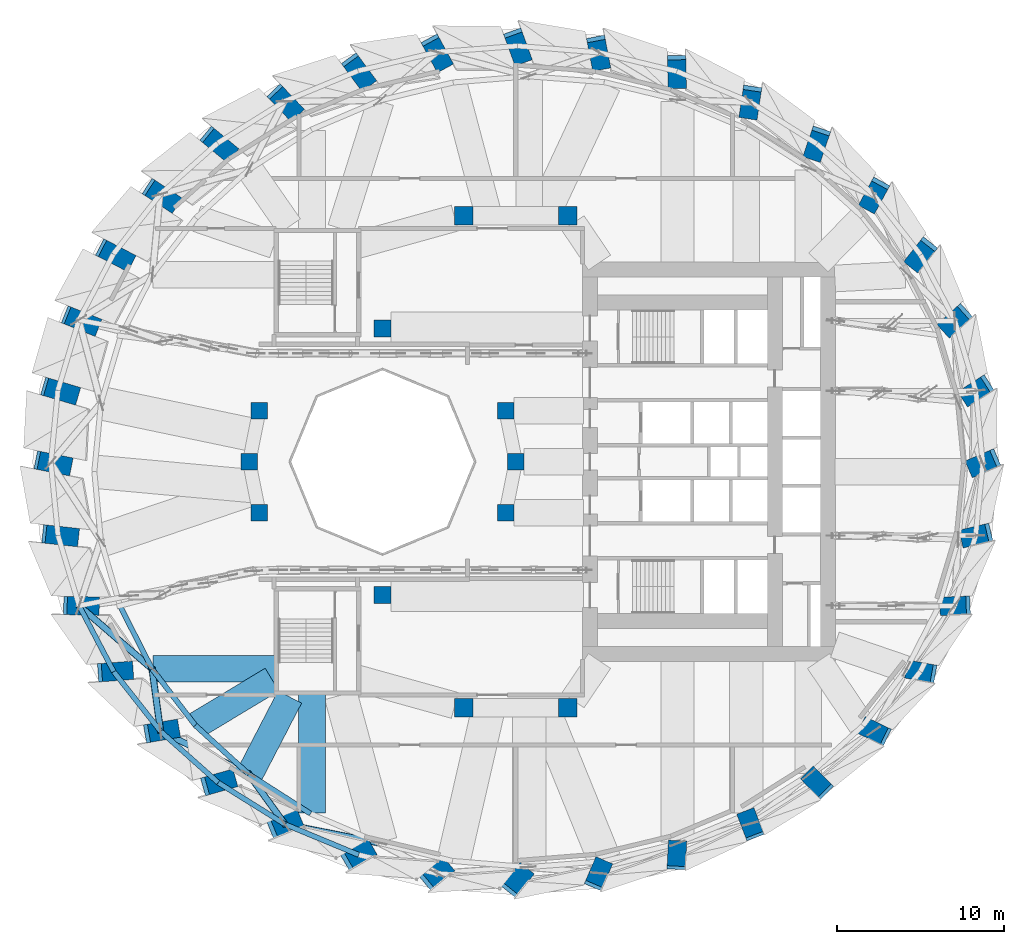
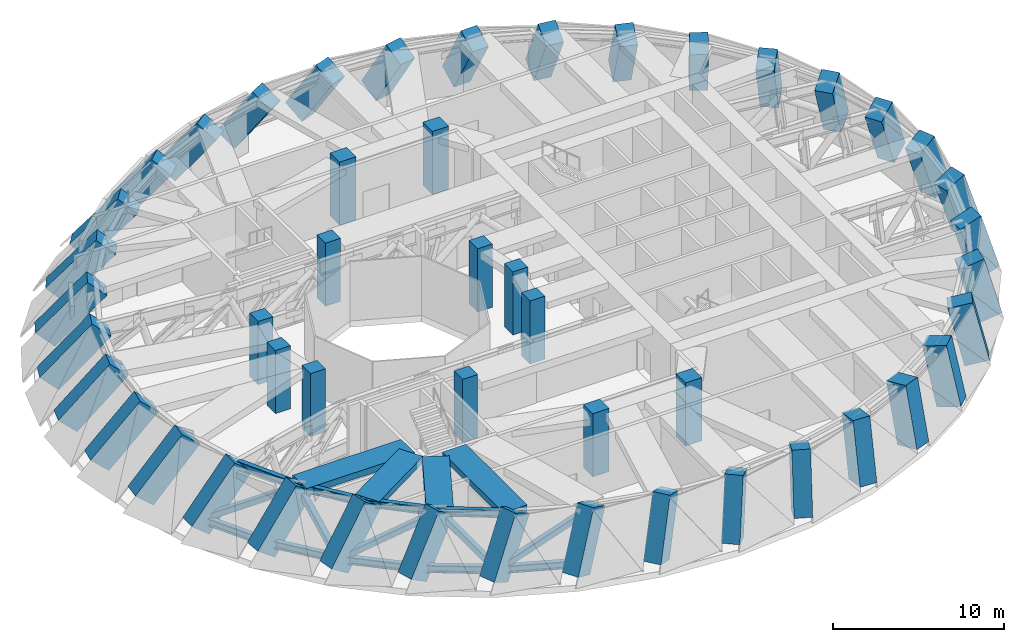
# One storey, part 1 of 15: 48 columns, 14 members, 4 beams.
"""IFC4 building model written with IfcOpenShell, lengths in metres."""

from ifc_helpers import new_model, si_unit, direction, frame, origin, origin_2d, place, context, subcontext, project, spatial, rectangle, hollow_rectangle, i_section, extrude, material, material_profile, profile_set, type_object, element, save


model = new_model("IFC4")

# Units and contexts
model_context = context("Model", 3, precision=1e-05, world=origin(), true_north=direction((0.0, 1.0)))
body_context = subcontext(model_context, "Body", "Model", "MODEL_VIEW")
ifc_project = project(units=[si_unit("LENGTHUNIT", "METRE"), si_unit("AREAUNIT", "SQUARE_METRE"), si_unit("VOLUMEUNIT", "CUBIC_METRE"), si_unit("PLANEANGLEUNIT", "RADIAN"), si_unit("MASSUNIT", "GRAM", prefix="KILO")], contexts=[model_context])

# Site, building, storey
site_placement = place(None, origin())
site = spatial("IfcSite", under=ifc_project, at=site_placement, CompositionType="ELEMENT")
building_placement = place(site_placement, origin())
building = spatial("IfcBuilding", under=site, at=building_placement, Name="Taillehof Tower", CompositionType="ELEMENT")
storey_placement = place(building_placement, frame((0.0, 0.0, 84.39990234375)))
storey = spatial("IfcBuildingStorey", under=building, at=storey_placement, Name="L23", CompositionType="ELEMENT", Elevation=84.39990234375)

# Columns
ifc_material_1 = material(Name="Concrete C50/60", Category="concrete")
ifc_material_profile_1 = material_profile(ifc_material_1, rectangle(XDim=1.0, YDim=1.0, at=origin_2d()), Name="RC 1000x1000")
ifc_profile_set_1 = profile_set([ifc_material_profile_1], Name="Concrete C50/60")
column_type_1 = type_object("IfcColumnType", Name="Atrium ring column C50/60 1000x1000", PredefinedType="COLUMN", material=ifc_profile_set_1)
for number, where, z_axis, x_axis, name in (
    (1, (0.0, 0.0, 0.0), (0.0, 0.0, 1.0), (1.0, 0.0, 0.0), "Column AC01"),
    (2, (-0.60888671875, 3.0615234375, 0.0), (0.0, 0.0, 1.0), (1.0, 0.0, 0.0), "Column AC02"),
    (3, (-8.0, 8.0, 0.0), (0.0, 0.0, 1.0), (1.0, 0.0, 0.0), "Column AC05"),
    (4, (-15.39111328125, 3.0615234375, 0.0), (0.0, 0.0, 1.0), (1.0, 0.0, 0.0), "Column AC08"),
    (5, (-16.0, 0.0, 0.0), (0.0, 0.0, 1.0), (1.0, 0.0, 0.0), "Column AC09"),
    (6, (-15.39111328125, -3.0615234375, 0.0), (0.0, 0.0, 1.0), (1.0, 0.0, 0.0), "Column AC10"),
    (7, (-8.0, -8.0, 0.0), (0.0, 0.0, 1.0), (1.0, 0.0, 0.0), "Column AC13"),
    (8, (-0.60888671875, -3.0615234375, 0.0), (0.0, 0.0, 1.0), (1.0, 0.0, 0.0), "Column AC16"),
):
    element("IfcColumn", number, at=place(storey_placement, frame(where, z_axis=z_axis, x_axis=x_axis)), inside=storey, type_object=column_type_1, Name=name, PredefinedType="COLUMN", context=body_context, shape_type="SweptSolid", body=[
        extrude(rectangle(XDim=1.0, YDim=1.0, at=origin_2d()), origin(), (0.0, 0.0, 1.0), 4.5),
    ])
ifc_material_2 = material(Name="Concrete C50/60", Category="concrete")
ifc_material_profile_2 = material_profile(ifc_material_2, rectangle(XDim=1.10009765625, YDim=1.10009765625, at=origin_2d()), Name="RC 1100x1100")
ifc_profile_set_2 = profile_set([ifc_material_profile_2], Name="Concrete C50/60")
column_type_2 = type_object("IfcColumnType", Name="Mid-ring column C50/60 1100x1100", PredefinedType="COLUMN", material=ifc_profile_set_2)
for number, where, z_axis, x_axis, name in (
    (9, (3.125732421875, 14.772216796875, 0.0), (0.0, 0.0, 1.0), (1.0, 0.0, 0.0), "Column MC05"),
    (10, (3.125732421875, -14.772216796875, 0.0), (0.0, 0.0, 1.0), (1.0, 0.0, 0.0), "Column MC15"),
):
    element("IfcColumn", number, at=place(storey_placement, frame(where, z_axis=z_axis, x_axis=x_axis)), inside=storey, type_object=column_type_2, Name=name, PredefinedType="COLUMN", context=body_context, shape_type="SweptSolid", body=[
        extrude(rectangle(XDim=1.10009765625, YDim=1.10009765625, at=origin_2d()), origin(), (0.0, 0.0, 1.0), 4.5),
    ])
ifc_material_3 = material(Name="Concrete C60/75", Category="concrete")
ifc_material_profile_3 = material_profile(ifc_material_3, rectangle(XDim=1.10009765625, YDim=1.10009765625, at=origin_2d()), Name="RC 1100x1100")
ifc_profile_set_3 = profile_set([ifc_material_profile_3], Name="Concrete C60/75")
column_type_3 = type_object("IfcColumnType", Name="Mid-ring column C60/75 1100x1100", PredefinedType="COLUMN", material=ifc_profile_set_3)
for number, where, z_axis, x_axis, name in (
    (11, (-3.125732421875, 14.772216796875, 0.0), (0.0, 0.0, 1.0), (1.0, 0.0, 0.0), "Column MC06"),
    (12, (-3.125732421875, -14.772216796875, 0.0), (0.0, 0.0, 1.0), (1.0, 0.0, 0.0), "Column MC14"),
):
    element("IfcColumn", number, at=place(storey_placement, frame(where, z_axis=z_axis, x_axis=x_axis)), inside=storey, type_object=column_type_3, Name=name, PredefinedType="COLUMN", context=body_context, shape_type="SweptSolid", body=[
        extrude(rectangle(XDim=1.10009765625, YDim=1.10009765625, at=origin_2d()), origin(), (0.0, 0.0, 1.0), 4.5),
    ])
ifc_material_4 = material(Name="Concrete C70/85", Category="concrete")
ifc_material_profile_4 = material_profile(ifc_material_4, rectangle(XDim=1.5, YDim=1.10009765625, at=origin_2d()), Name="RC 1500x1100")
ifc_profile_set_4 = profile_set([ifc_material_profile_4], Name="Concrete C70/85")
column_type_4 = type_object("IfcColumnType", Name="Ring column C70/85 1500x1100", PredefinedType="COLUMN", material=ifc_profile_set_4)
column_1_placement = place(storey_placement, frame((28.25, 0.0, 0.269287109375), z_axis=(-0.329825748715, -0.141386761483, 0.933394214232), x_axis=(0.857893695145, 0.367754220904, 0.358852672887)))
element("IfcColumn", 13, at=column_1_placement, inside=storey, type_object=column_type_4, Name="Ring column RC01", PredefinedType="COLUMN", context=body_context, shape_type="SweptSolid", body=[
    extrude(rectangle(XDim=1.5, YDim=1.10009765625, at=origin_2d()), origin(), (0.0, 0.0, 1.0), 4.244384765625),
])
column_2_placement = place(storey_placement, frame((27.82080078125, 4.384521484375, 0.286865234375), z_axis=(-0.321585248754, -0.206556899995, 0.924076390158), x_axis=(0.777507190162, 0.499399383354, 0.382207829789)))
element("IfcColumn", 14, at=column_2_placement, inside=storey, type_object=column_type_4, Name="Ring column RC02", PredefinedType="COLUMN", context=body_context, shape_type="SweptSolid", body=[
    extrude(rectangle(XDim=1.5, YDim=1.10009765625, at=origin_2d()), origin(), (0.0, 0.0, 1.0), 4.2490234375),
])
column_3_placement = place(storey_placement, frame((26.54638671875, 8.635986328125, 0.30126953125), z_axis=(-0.297784822082, -0.269560947595, 0.91578441528), x_axis=(0.67893196225, 0.614583180623, 0.401670144186)))
element("IfcColumn", 15, at=column_3_placement, inside=storey, type_object=column_type_4, Name="Ring column RC03", PredefinedType="COLUMN", context=body_context, shape_type="SweptSolid", body=[
    extrude(rectangle(XDim=1.5, YDim=1.10009765625, at=origin_2d()), origin(), (0.0, 0.0, 1.0), 4.255859375),
])
column_4_placement = place(storey_placement, frame((24.46533203125, 12.625, 0.31396484375), z_axis=(-0.259292563916, -0.328353260047, 0.90826840907), x_axis=(0.562892002032, 0.712814209288, 0.418387974356)))
element("IfcColumn", 16, at=column_4_placement, inside=storey, type_object=column_type_4, Name="Ring column RC04", PredefinedType="COLUMN", context=body_context, shape_type="SweptSolid", body=[
    extrude(rectangle(XDim=1.5, YDim=1.10009765625, at=origin_2d()), origin(), (0.0, 0.0, 1.0), 4.263427734375),
])
column_5_placement = place(storey_placement, frame((21.640869140625, 16.23046875, 0.325439453125), z_axis=(-0.207259742334, -0.381147637542, 0.900982728804), x_axis=(0.430414464234, 0.79152591024, 0.433854955482)))
element("IfcColumn", 17, at=column_5_placement, inside=storey, type_object=column_type_4, Name="Ring column RC05", PredefinedType="COLUMN", context=body_context, shape_type="SweptSolid", body=[
    extrude(rectangle(XDim=1.5, YDim=1.10009765625, at=origin_2d()), origin(), (0.0, 0.0, 1.0), 4.2724609375),
])
column_6_placement = place(storey_placement, frame((18.15869140625, 19.342529296875, 0.33740234375), z_axis=(-0.143360529219, -0.426262440358, 0.893167448244), x_axis=(0.28471881473, 0.846571489681, 0.449724259294)))
element("IfcColumn", 18, at=column_6_placement, inside=storey, type_object=column_type_4, Name="Ring column RC06", PredefinedType="COLUMN", context=body_context, shape_type="SweptSolid", body=[
    extrude(rectangle(XDim=1.5, YDim=1.10009765625, at=origin_2d()), origin(), (0.0, 0.0, 1.0), 4.282958984375),
])
column_7_placement = place(storey_placement, frame((14.125, 21.8671875, 0.3505859375), z_axis=(-0.069824941366, -0.462071804828, 0.88408943255), x_axis=(0.132097471979, 0.874164963061, 0.467317745494)))
element("IfcColumn", 19, at=column_7_placement, inside=storey, type_object=column_type_4, Name="Ring column RC07", PredefinedType="COLUMN", context=body_context, shape_type="SweptSolid", body=[
    extrude(rectangle(XDim=1.5, YDim=1.10009765625, at=origin_2d()), origin(), (0.0, 0.0, 1.0), 4.297119140625),
])
column_8_placement = place(storey_placement, frame((9.662109375, 23.727294921875, 0.36572265625), z_axis=(0.011029552025, -0.487336514068, 0.873144587705), x_axis=(-0.019756221577, 0.872921051841, 0.48746131022)))
element("IfcColumn", 20, at=column_8_placement, inside=storey, type_object=column_type_4, Name="Ring column RC08", PredefinedType="COLUMN", context=body_context, shape_type="SweptSolid", body=[
    extrude(rectangle(XDim=1.5, YDim=1.10009765625, at=origin_2d()), origin(), (0.0, 0.0, 1.0), 4.31640625),
])
column_9_placement = place(storey_placement, frame((4.905517578125, 24.866455078125, 0.3828125), z_axis=(0.096253792996, -0.501059464472, 0.860043382858), x_axis=(-0.16224822563, 0.844600576413, 0.51022091255)))
element("IfcColumn", 21, at=column_9_placement, inside=storey, type_object=column_type_4, Name="Ring column RC09", PredefinedType="COLUMN", context=body_context, shape_type="SweptSolid", body=[
    extrude(rectangle(XDim=1.5, YDim=1.10009765625, at=origin_2d()), origin(), (0.0, 0.0, 1.0), 4.34228515625),
])
column_10_placement = place(storey_placement, frame((0.0, 25.25, 0.4013671875), z_axis=(0.18281665418, -0.502703958137, 0.844906386192), x_axis=(-0.288762121798, 0.794029746573, 0.534914197392)))
element("IfcColumn", 22, at=column_10_placement, inside=storey, type_object=column_type_4, Name="Ring column RC10", PredefinedType="COLUMN", context=body_context, shape_type="SweptSolid", body=[
    extrude(rectangle(XDim=1.5, YDim=1.10009765625, at=origin_2d()), origin(), (0.0, 0.0, 1.0), 4.376220703125),
])
column_11_placement = place(storey_placement, frame((-4.905517578125, 24.866455078125, 0.42041015625), z_axis=(0.267491573973, -0.492436460906, 0.828223755892), x_axis=(-0.395331630965, 0.727782585243, 0.560397546547)))
element("IfcColumn", 23, at=column_11_placement, inside=storey, type_object=column_type_4, Name="Ring column RC11", PredefinedType="COLUMN", context=body_context, shape_type="SweptSolid", body=[
    extrude(rectangle(XDim=1.5, YDim=1.10009765625, at=origin_2d()), origin(), (0.0, 0.0, 1.0), 4.41845703125),
])
column_12_placement = place(storey_placement, frame((-9.662109375, 23.727294921875, 0.43896484375), z_axis=(0.347528418549, -0.47087668725, 0.810863208997), x_axis=(-0.481511971374, 0.652415025217, 0.585235727117)))
element("IfcColumn", 24, at=column_12_placement, inside=storey, type_object=column_type_4, Name="Ring column RC12", PredefinedType="COLUMN", context=body_context, shape_type="SweptSolid", body=[
    extrude(rectangle(XDim=1.5, YDim=1.10009765625, at=origin_2d()), origin(), (0.0, 0.0, 1.0), 4.46728515625),
])
column_13_placement = place(storey_placement, frame((-14.125, 21.8671875, 0.4560546875), z_axis=(0.420386102017, -0.439347233064, 0.793882569421), x_axis=(-0.548845681569, 0.573600864586, 0.608071102725)))
element("IfcColumn", 25, at=column_13_placement, inside=storey, type_object=column_type_4, Name="Ring column RC13", PredefinedType="COLUMN", context=body_context, shape_type="SweptSolid", body=[
    extrude(rectangle(XDim=1.5, YDim=1.10009765625, at=origin_2d()), origin(), (0.0, 0.0, 1.0), 4.51953125),
])
column_14_placement = place(storey_placement, frame((-18.15869140625, 19.342529296875, 0.470947265625), z_axis=(0.48434493808, -0.399374952802, 0.778401970726), x_axis=(-0.600566052476, 0.49520707249, 0.627766176191)))
element("IfcColumn", 26, at=column_14_placement, inside=storey, type_object=column_type_4, Name="Ring column RC14", PredefinedType="COLUMN", context=body_context, shape_type="SweptSolid", body=[
    extrude(rectangle(XDim=1.5, YDim=1.10009765625, at=origin_2d()), origin(), (0.0, 0.0, 1.0), 4.5712890625),
])
column_15_placement = place(storey_placement, frame((-21.640869140625, 16.23046875, 0.482666015625), z_axis=(0.538208092319, -0.352637325714, 0.765492629537), x_axis=(-0.640294887233, 0.419525235545, 0.64344466283)))
element("IfcColumn", 27, at=column_15_placement, inside=storey, type_object=column_type_4, Name="Ring column RC15", PredefinedType="COLUMN", context=body_context, shape_type="SweptSolid", body=[
    extrude(rectangle(XDim=1.5, YDim=1.10009765625, at=origin_2d()), origin(), (0.0, 0.0, 1.0), 4.617919921875),
])
column_16_placement = place(storey_placement, frame((-24.46533203125, 12.625, 0.490966796875), z_axis=(0.581326092093, -0.300814349974, 0.75602295038), x_axis=(-0.671452374876, 0.347451305617, 0.65454510807)))
element("IfcColumn", 28, at=column_16_placement, inside=storey, type_object=column_type_4, Name="Ring column RC16", PredefinedType="COLUMN", context=body_context, shape_type="SweptSolid", body=[
    extrude(rectangle(XDim=1.5, YDim=1.10009765625, at=origin_2d()), origin(), (0.0, 0.0, 1.0), 4.65380859375),
])
column_17_placement = place(storey_placement, frame((-26.54638671875, 8.635986328125, 0.49560546875), z_axis=(0.613411064023, -0.245416653031, 0.750664727391), x_axis=(-0.696954237932, 0.278841035678, 0.660683333414)))
element("IfcColumn", 29, at=column_17_placement, inside=storey, type_object=column_type_4, Name="Ring column RC17", PredefinedType="COLUMN", context=body_context, shape_type="SweptSolid", body=[
    extrude(rectangle(XDim=1.5, YDim=1.10009765625, at=origin_2d()), origin(), (0.0, 0.0, 1.0), 4.674560546875),
])
column_18_placement = place(storey_placement, frame((-27.82080078125, 4.384521484375, 0.49609375), z_axis=(0.634268179781, -0.187654851972, 0.749993021734), x_axis=(-0.719177220089, 0.212776076555, 0.661445740292)))
element("IfcColumn", 30, at=column_18_placement, inside=storey, type_object=column_type_4, Name="Ring column RC18", PredefinedType="COLUMN", context=body_context, shape_type="SweptSolid", body=[
    extrude(rectangle(XDim=1.5, YDim=1.10009765625, at=origin_2d()), origin(), (0.0, 0.0, 1.0), 4.67724609375),
])
column_19_placement = place(storey_placement, frame((-28.25, 0.0, 0.492431640625), z_axis=(0.643740958796, -0.128769146868, 0.754331548315), x_axis=(-0.739678308582, 0.147959739786, 0.656493652076)))
element("IfcColumn", 31, at=column_19_placement, inside=storey, type_object=column_type_4, Name="Ring column RC19", PredefinedType="COLUMN", context=body_context, shape_type="SweptSolid", body=[
    extrude(rectangle(XDim=1.5, YDim=1.10009765625, at=origin_2d()), origin(), (0.0, 0.0, 1.0), 4.66015625),
])
column_20_placement = place(storey_placement, frame((-27.82080078125, -4.384521484375, 0.484130859375), z_axis=(0.641588319185, -0.069697685896, 0.763876077166), x_axis=(-0.759408279529, 0.082496825692, 0.645362951163)))
element("IfcColumn", 32, at=column_20_placement, inside=storey, type_object=column_type_4, Name="Ring column RC20", PredefinedType="COLUMN", context=body_context, shape_type="SweptSolid", body=[
    extrude(rectangle(XDim=1.5, YDim=1.10009765625, at=origin_2d()), origin(), (0.0, 0.0, 1.0), 4.623779296875),
])
column_21_placement = place(storey_placement, frame((-26.54638671875, -8.635986328125, 0.470703125), z_axis=(0.627366064444, -0.011537766702, 0.778639005653), x_axis=(-0.778507362744, 0.014317376786, 0.627472149881)))
element("IfcColumn", 33, at=column_21_placement, inside=storey, type_object=column_type_4, Name="Ring column RC21", PredefinedType="COLUMN", context=body_context, shape_type="SweptSolid", body=[
    extrude(rectangle(XDim=1.5, YDim=1.10009765625, at=origin_2d()), origin(), (0.0, 0.0, 1.0), 4.570556640625),
])
column_22_placement = place(storey_placement, frame((-24.46533203125, -12.625, 0.45166015625), z_axis=(0.600492037274, 0.044382544764, 0.798398085476), x_axis=(-0.796226262122, -0.058849319437, 0.602129966958)))
element("IfcColumn", 34, at=column_22_placement, inside=storey, type_object=column_type_4, Name="Ring column RC22", PredefinedType="COLUMN", context=body_context, shape_type="SweptSolid", body=[
    extrude(rectangle(XDim=1.5, YDim=1.10009765625, at=origin_2d()), origin(), (0.0, 0.0, 1.0), 4.505126953125),
])
column_23_placement = place(storey_placement, frame((-21.640869140625, -16.23046875, 0.4267578125), z_axis=(0.560538019427, 0.096634992544, 0.822471158761), x_axis=(-0.81051482165, -0.139730207465, 0.56880681519)))
element("IfcColumn", 35, at=column_23_placement, inside=storey, type_object=column_type_4, Name="Ring column RC23", PredefinedType="COLUMN", context=body_context, shape_type="SweptSolid", body=[
    extrude(rectangle(XDim=1.5, YDim=1.10009765625, at=origin_2d()), origin(), (0.0, 0.0, 1.0), 4.433837890625),
])
column_24_placement = place(storey_placement, frame((-18.15869140625, -19.342529296875, 0.3955078125), z_axis=(0.5072596279, 0.143301264382, 0.849795515127), x_axis=(-0.817789297004, -0.23102615271, 0.527112495081)))
element("IfcColumn", 36, at=column_24_placement, inside=storey, type_object=column_type_4, Name="Ring column RC24", PredefinedType="COLUMN", context=body_context, shape_type="SweptSolid", body=[
    extrude(rectangle(XDim=1.5, YDim=1.10009765625, at=origin_2d()), origin(), (0.0, 0.0, 1.0), 4.36474609375),
])
column_25_placement = place(storey_placement, frame((-14.125, -21.8671875, 0.358154296875), z_axis=(0.441181665718, 0.182436725813, 0.878678313667), x_axis=(-0.811992342691, -0.335773754662, 0.477414307589)))
element("IfcColumn", 37, at=column_25_placement, inside=storey, type_object=column_type_4, Name="Ring column RC25", PredefinedType="COLUMN", context=body_context, shape_type="SweptSolid", body=[
    extrude(rectangle(XDim=1.5, YDim=1.10009765625, at=origin_2d()), origin(), (0.0, 0.0, 1.0), 4.306396484375),
])
column_26_placement = place(storey_placement, frame((-9.662109375, -23.727294921875, 0.31591796875), z_axis=(0.363996966991, 0.211849783745, 0.906987253024), x_axis=(-0.783887642181, -0.456230250623, 0.421158073473)))
element("IfcColumn", 38, at=column_26_placement, inside=storey, type_object=column_type_4, Name="Ring column RC26", PredefinedType="COLUMN", context=body_context, shape_type="SweptSolid", body=[
    extrude(rectangle(XDim=1.5, YDim=1.10009765625, at=origin_2d()), origin(), (0.0, 0.0, 1.0), 4.26513671875),
])
column_27_placement = place(storey_placement, frame((-4.905517578125, -24.866455078125, 0.27099609375), z_axis=(0.278442580156, 0.229897746929, 0.93253244207), x_axis=(-0.719099036727, -0.593728330882, 0.361086200909)))
element("IfcColumn", 39, at=column_27_placement, inside=storey, type_object=column_type_4, Name="Ring column RC27", PredefinedType="COLUMN", context=body_context, shape_type="SweptSolid", body=[
    extrude(rectangle(XDim=1.5, YDim=1.10009765625, at=origin_2d()), origin(), (0.0, 0.0, 1.0), 4.24462890625),
])
column_28_placement = place(storey_placement, frame((0.0, -25.25, 0.226318359375), z_axis=(0.188451888787, 0.235550484123, 0.953415887764), x_axis=(-0.59561634852, -0.744474996502, 0.301658987863)))
element("IfcColumn", 40, at=column_28_placement, inside=storey, type_object=column_type_4, Name="Ring column RC28", PredefinedType="COLUMN", context=body_context, shape_type="SweptSolid", body=[
    extrude(rectangle(XDim=1.5, YDim=1.10009765625, at=origin_2d()), origin(), (0.0, 0.0, 1.0), 4.245361328125),
])
column_29_placement = place(storey_placement, frame((4.905517578125, -24.866455078125, 0.18701171875), z_axis=(0.09810110987, 0.229036294481, 0.968461949719), x_axis=(-0.381307677964, -0.890237610292, 0.249161497723)))
element("IfcColumn", 41, at=column_29_placement, inside=storey, type_object=column_type_4, Name="Ring column RC29", PredefinedType="COLUMN", context=body_context, shape_type="SweptSolid", body=[
    extrude(rectangle(XDim=1.5, YDim=1.10009765625, at=origin_2d()), origin(), (0.0, 0.0, 1.0), 4.260498046875),
])
column_30_placement = place(storey_placement, frame((9.662109375, -23.727294921875, 0.15869140625), z_axis=(0.011124254509, 0.211132645836, 0.977394115403), x_axis=(-0.051426061466, -0.976040274285, 0.211425502662)))
element("IfcColumn", 42, at=column_30_placement, inside=storey, type_object=column_type_4, Name="Ring column RC30", PredefinedType="COLUMN", context=body_context, shape_type="SweptSolid", body=[
    extrude(rectangle(XDim=1.5, YDim=1.10009765625, at=origin_2d()), origin(), (0.0, 0.0, 1.0), 4.279541015625),
])
column_31_placement = place(storey_placement, frame((14.125, -21.8671875, 0.147216796875), z_axis=(-0.069956640927, 0.18317369447, 0.980588326488), x_axis=(0.34985418247, -0.916054319925, 0.196077877272)))
element("IfcColumn", 43, at=column_31_placement, inside=storey, type_object=column_type_4, Name="Ring column RC31", PredefinedType="COLUMN", context=body_context, shape_type="SweptSolid", body=[
    extrude(rectangle(XDim=1.5, YDim=1.10009765625, at=origin_2d()), origin(), (0.0, 0.0, 1.0), 4.2890625),
])
column_32_placement = place(storey_placement, frame((18.15869140625, -19.342529296875, 0.153564453125), z_axis=(-0.143335748736, 0.14601438897, 0.978843532618), x_axis=(0.685710012277, -0.698524473739, 0.204610211505)))
element("IfcColumn", 44, at=column_32_placement, inside=storey, type_object=column_type_4, Name="Ring column RC32", PredefinedType="COLUMN", context=body_context, shape_type="SweptSolid", body=[
    extrude(rectangle(XDim=1.5, YDim=1.10009765625, at=origin_2d()), origin(), (0.0, 0.0, 1.0), 4.28369140625),
])
column_33_placement = place(storey_placement, frame((21.640869140625, -16.23046875, 0.1728515625), z_axis=(-0.207405022702, 0.100357269049, 0.97309381619), x_axis=(0.875939401139, -0.423841645712, 0.230409255224)))
element("IfcColumn", 45, at=column_33_placement, inside=storey, type_object=column_type_4, Name="Ring column RC33", PredefinedType="COLUMN", context=body_context, shape_type="SweptSolid", body=[
    extrude(rectangle(XDim=1.5, YDim=1.10009765625, at=origin_2d()), origin(), (0.0, 0.0, 1.0), 4.26953125),
])
column_34_placement = place(storey_placement, frame((24.46533203125, -12.625, 0.197998046875), z_axis=(-0.259805612437, 0.046992225394, 0.964516860661), x_axis=(0.949116348071, -0.171671000236, 0.264021259563)))
element("IfcColumn", 46, at=column_34_placement, inside=storey, type_object=column_type_4, Name="Ring column RC34", PredefinedType="COLUMN", context=body_context, shape_type="SweptSolid", body=[
    extrude(rectangle(XDim=1.5, YDim=1.10009765625, at=origin_2d()), origin(), (0.0, 0.0, 1.0), 4.2548828125),
])
column_35_placement = place(storey_placement, frame((26.54638671875, -8.635986328125, 0.22412109375), z_axis=(-0.298484434713, -0.012420080504, 0.95433368579), x_axis=(0.953508575153, 0.039675949188, 0.298742725712)))
element("IfcColumn", 47, at=column_35_placement, inside=storey, type_object=column_type_4, Name="Ring column RC35", PredefinedType="COLUMN", context=body_context, shape_type="SweptSolid", body=[
    extrude(rectangle(XDim=1.5, YDim=1.10009765625, at=origin_2d()), origin(), (0.0, 0.0, 1.0), 4.245849609375),
])
column_36_placement = place(storey_placement, frame((27.82080078125, -4.384521484375, 0.248291015625), z_axis=(-0.322073286092, -0.075957966347, 0.943662644028), x_axis=(0.918465385142, 0.216611454062, 0.330909072504)))
element("IfcColumn", 48, at=column_36_placement, inside=storey, type_object=column_type_4, Name="Ring column RC36", PredefinedType="COLUMN", context=body_context, shape_type="SweptSolid", body=[
    extrude(rectangle(XDim=1.5, YDim=1.10009765625, at=origin_2d()), origin(), (0.0, 0.0, 1.0), 4.24267578125),
])

# Members
ifc_material_5 = material(Name="Steel S460M", Category="steel")
ifc_material_profile_5 = material_profile(ifc_material_5, i_section(OverallWidth=0.305908203125, OverallDepth=0.52392578125, WebThickness=0.02099609375, FlangeThickness=0.0400390625, FilletRadius=0.027099609375, at=origin_2d()), Name="HEM 500")
ifc_profile_set_5 = profile_set([ifc_material_profile_5], Name="Steel S460M")
member_type_1 = type_object("IfcMemberType", Name="Belt truss chord HEM 500", PredefinedType="CHORD", material=ifc_profile_set_5)
member_1_placement = place(storey_placement, frame((-26.200439453125, -8.642333984375, 0.900146484375), z_axis=(0.463900808355, -0.885887148574, 0.0), x_axis=(0.885887148574, 0.463900808355, 0.0)))
element("IfcMember", 49, at=member_1_placement, inside=storey, type_object=member_type_1, Name="Belt truss bottom chord BB21", PredefinedType="CHORD", context=body_context, shape_type="SweptSolid", body=[
    extrude(i_section(OverallWidth=0.305908203125, OverallDepth=0.52392578125, WebThickness=0.02099609375, FlangeThickness=0.0400390625, FilletRadius=0.027099609375, at=origin_2d()), origin(), (0.0, 0.0, 1.0), 4.467529296875),
])
member_2_placement = place(storey_placement, frame((-23.736572265625, -8.687744140625, 3.9580078125), z_axis=(0.454359289602, -0.890818520212, 0.0), x_axis=(0.890818520212, 0.454359289602, 0.0)))
element("IfcMember", 50, at=member_2_placement, inside=storey, type_object=member_type_1, Name="Belt truss top chord BT21", PredefinedType="CHORD", context=body_context, shape_type="SweptSolid", body=[
    extrude(i_section(OverallWidth=0.305908203125, OverallDepth=0.52392578125, WebThickness=0.02099609375, FlangeThickness=0.0400390625, FilletRadius=0.027099609375, at=origin_2d()), origin(), (0.0, 0.0, 1.0), 4.200927734375),
])
member_3_placement = place(storey_placement, frame((-24.1279296875, -12.60009765625, 0.900146484375), z_axis=(0.617973308656, -0.786199077708, 0.0), x_axis=(0.786199077708, 0.617973308656, 0.0)))
element("IfcMember", 51, at=member_3_placement, inside=storey, type_object=member_type_1, Name="Belt truss bottom chord BB22", PredefinedType="CHORD", context=body_context, shape_type="SweptSolid", body=[
    extrude(i_section(OverallWidth=0.305908203125, OverallDepth=0.52392578125, WebThickness=0.02099609375, FlangeThickness=0.0400390625, FilletRadius=0.027099609375, at=origin_2d()), origin(), (0.0, 0.0, 1.0), 4.546875),
])
member_4_placement = place(storey_placement, frame((-21.827880859375, -12.429931640625, 3.9580078125), z_axis=(0.608165917385, -0.793809937536, 0.0), x_axis=(0.793809937536, 0.608165917385, 0.0)))
element("IfcMember", 52, at=member_4_placement, inside=storey, type_object=member_type_1, Name="Belt truss top chord BT22", PredefinedType="CHORD", context=body_context, shape_type="SweptSolid", body=[
    extrude(i_section(OverallWidth=0.305908203125, OverallDepth=0.52392578125, WebThickness=0.02099609375, FlangeThickness=0.0400390625, FilletRadius=0.027099609375, at=origin_2d()), origin(), (0.0, 0.0, 1.0), 4.264892578125),
])
member_5_placement = place(storey_placement, frame((-21.318115234375, -16.1748046875, 0.900146484375), z_axis=(0.746702655447, -0.665157984503, 0.0), x_axis=(0.665157984503, 0.746702655447, 0.0)))
element("IfcMember", 53, at=member_5_placement, inside=storey, type_object=member_type_1, Name="Belt truss bottom chord BB23", PredefinedType="CHORD", context=body_context, shape_type="SweptSolid", body=[
    extrude(i_section(OverallWidth=0.305908203125, OverallDepth=0.52392578125, WebThickness=0.02099609375, FlangeThickness=0.0400390625, FilletRadius=0.027099609375, at=origin_2d()), origin(), (0.0, 0.0, 1.0), 4.634521484375),
])
member_6_placement = place(storey_placement, frame((-19.234130859375, -15.8154296875, 3.9580078125), z_axis=(0.738164939744, -0.674620279663, 0.0), x_axis=(0.674620279663, 0.738164939744, 0.0)))
element("IfcMember", 54, at=member_6_placement, inside=storey, type_object=member_type_1, Name="Belt truss top chord BT23", PredefinedType="CHORD", context=body_context, shape_type="SweptSolid", body=[
    extrude(i_section(OverallWidth=0.305908203125, OverallDepth=0.52392578125, WebThickness=0.02099609375, FlangeThickness=0.0400390625, FilletRadius=0.027099609375, at=origin_2d()), origin(), (0.0, 0.0, 1.0), 4.337646484375),
])
member_7_placement = place(storey_placement, frame((-17.857421875, -19.257568359375, 0.900146484375), z_axis=(0.848552936077, -0.529110493824, 0.0), x_axis=(0.529110493824, 0.848552936077, 0.0)))
element("IfcMember", 55, at=member_7_placement, inside=storey, type_object=member_type_1, Name="Belt truss bottom chord BB24", PredefinedType="CHORD", context=body_context, shape_type="SweptSolid", body=[
    extrude(i_section(OverallWidth=0.305908203125, OverallDepth=0.52392578125, WebThickness=0.02099609375, FlangeThickness=0.0400390625, FilletRadius=0.027099609375, at=origin_2d()), origin(), (0.0, 0.0, 1.0), 4.719482421875),
])
member_8_placement = place(storey_placement, frame((-16.0322265625, -18.74169921875, 3.9580078125), z_axis=(0.842227166955, -0.539122805346, 0.0), x_axis=(0.539122805346, 0.842227166955, 0.0)))
element("IfcMember", 56, at=member_8_placement, inside=storey, type_object=member_type_1, Name="Belt truss top chord BT24", PredefinedType="CHORD", context=body_context, shape_type="SweptSolid", body=[
    extrude(i_section(OverallWidth=0.305908203125, OverallDepth=0.52392578125, WebThickness=0.02099609375, FlangeThickness=0.0400390625, FilletRadius=0.027099609375, at=origin_2d()), origin(), (0.0, 0.0, 1.0), 4.41064453125),
])
member_9_placement = place(storey_placement, frame((-13.852783203125, -21.754638671875, 0.900146484375), z_axis=(0.923638298479, -0.383265304434, 0.0), x_axis=(0.383265304434, 0.923638298479, 0.0)))
element("IfcMember", 57, at=member_9_placement, inside=storey, type_object=member_type_1, Name="Belt truss bottom chord BB25", PredefinedType="CHORD", context=body_context, shape_type="SweptSolid", body=[
    extrude(i_section(OverallWidth=0.305908203125, OverallDepth=0.52392578125, WebThickness=0.02099609375, FlangeThickness=0.0400390625, FilletRadius=0.027099609375, at=origin_2d()), origin(), (0.0, 0.0, 1.0), 4.790771484375),
])
ifc_material_6 = material(Name="Steel S460M", Category="steel")
ifc_material_profile_6 = material_profile(ifc_material_6, hollow_rectangle(XDim=0.39990234375, YDim=0.39990234375, WallThickness=0.02001953125, InnerFilletRadius=0.02001953125, OuterFilletRadius=0.030029296875, at=origin_2d()), Name="RHS 400x400x20")
ifc_profile_set_6 = profile_set([ifc_material_profile_6], Name="Steel S460M")
member_type_2 = type_object("IfcMemberType", Name="Belt truss diagonal RHS 400x400x20", PredefinedType="BRACE", material=ifc_profile_set_6)
member_10_placement = place(storey_placement, frame((-26.200439453125, -8.642333984375, 0.900146484375), z_axis=(0.66824268297, -0.57884516938, 0.467322144288), x_axis=(0.654737711409, 0.755856156461, 0.0)))
element("IfcMember", 58, at=member_10_placement, inside=storey, type_object=member_type_2, Name="Belt truss diagonal BX21", PredefinedType="BRACE", context=body_context, shape_type="SweptSolid", body=[
    extrude(hollow_rectangle(XDim=0.39990234375, YDim=0.39990234375, WallThickness=0.02001953125, InnerFilletRadius=0.02001953125, OuterFilletRadius=0.030029296875, at=origin_2d()), origin(), (0.0, 0.0, 1.0), 6.54345703125),
])
member_11_placement = place(storey_placement, frame((-21.827880859375, -12.429931640625, 3.9580078125), z_axis=(0.104857086568, -0.770307878765, -0.628991862673), x_axis=(0.990861980709, 0.134879706351, 0.0)))
element("IfcMember", 59, at=member_11_placement, inside=storey, type_object=member_type_2, Name="Belt truss diagonal BX22", PredefinedType="BRACE", context=body_context, shape_type="SweptSolid", body=[
    extrude(hollow_rectangle(XDim=0.39990234375, YDim=0.39990234375, WallThickness=0.02001953125, InnerFilletRadius=0.02001953125, OuterFilletRadius=0.030029296875, at=origin_2d()), origin(), (0.0, 0.0, 1.0), 4.861572265625),
])
member_12_placement = place(storey_placement, frame((-21.318115234375, -16.1748046875, 0.900146484375), z_axis=(0.797965829512, -0.387502320054, 0.461619417793), x_axis=(0.436830004584, 0.89954407735, 0.0)))
element("IfcMember", 60, at=member_12_placement, inside=storey, type_object=member_type_2, Name="Belt truss diagonal BX23", PredefinedType="BRACE", context=body_context, shape_type="SweptSolid", body=[
    extrude(hollow_rectangle(XDim=0.39990234375, YDim=0.39990234375, WallThickness=0.02001953125, InnerFilletRadius=0.02001953125, OuterFilletRadius=0.030029296875, at=origin_2d()), origin(), (0.0, 0.0, 1.0), 6.624267578125),
])
member_13_placement = place(storey_placement, frame((-16.0322265625, -18.74169921875, 3.9580078125), z_axis=(0.452694125421, -0.625820342984, -0.635151105735), x_axis=(0.810240994787, 0.586096860908, 0.0)))
element("IfcMember", 61, at=member_13_placement, inside=storey, type_object=member_type_2, Name="Belt truss diagonal BX24", PredefinedType="BRACE", context=body_context, shape_type="SweptSolid", body=[
    extrude(hollow_rectangle(XDim=0.39990234375, YDim=0.39990234375, WallThickness=0.02001953125, InnerFilletRadius=0.02001953125, OuterFilletRadius=0.030029296875, at=origin_2d()), origin(), (0.0, 0.0, 1.0), 4.814453125),
])
member_14_placement = place(storey_placement, frame((-13.852783203125, -21.754638671875, 0.900146484375), z_axis=(0.866438939398, -0.171962980586, 0.468734783862), x_axis=(0.194673834304, 0.980868033039, 0.0)))
element("IfcMember", 62, at=member_14_placement, inside=storey, type_object=member_type_2, Name="Belt truss diagonal BX25", PredefinedType="BRACE", context=body_context, shape_type="SweptSolid", body=[
    extrude(hollow_rectangle(XDim=0.39990234375, YDim=0.39990234375, WallThickness=0.02001953125, InnerFilletRadius=0.02001953125, OuterFilletRadius=0.030029296875, at=origin_2d()), origin(), (0.0, 0.0, 1.0), 6.523681640625),
])

# Beams
ifc_material_7 = material(Name="Concrete C50/60", Category="concrete")
ifc_material_profile_7 = material_profile(ifc_material_7, rectangle(XDim=1.60009765625, YDim=0.449951171875, at=origin_2d()), Name="RC 1600x450")
ifc_profile_set_7 = profile_set([ifc_material_profile_7], Name="Concrete C50/60")
beam_type = type_object("IfcBeamType", Name="Radial band beam C50/60 1600x450", PredefinedType="BEAM", material=ifc_profile_set_7)
beam_1_placement = place(storey_placement, frame((-21.760009765625, -12.425048828125, 3.9951171875), z_axis=(1.0, 0.0, 0.0), x_axis=(0.0, 1.0, 0.0)))
element("IfcBeam", 63, at=beam_1_placement, inside=storey, type_object=beam_type, Name="Radial band beam RB22", PredefinedType="BEAM", context=body_context, shape_type="SweptSolid", body=[
    extrude(rectangle(XDim=1.60009765625, YDim=0.449951171875, at=origin_2d()), origin(), (0.0, 0.0, 1.0), 7.31005859375),
])
beam_2_placement = place(storey_placement, frame((-19.155517578125, -15.802001953125, 3.9951171875), z_axis=(0.856794973818, 0.515657224171, 0.0), x_axis=(-0.515657224171, 0.856794973818, 0.0)))
element("IfcBeam", 64, at=beam_2_placement, inside=storey, type_object=beam_type, Name="Radial band beam RB23", PredefinedType="BEAM", context=body_context, shape_type="SweptSolid", body=[
    extrude(rectangle(XDim=1.60009765625, YDim=0.449951171875, at=origin_2d()), origin(), (0.0, 0.0, 1.0), 5.28369140625),
])
beam_3_placement = place(storey_placement, frame((-15.944580078125, -18.717041015625, 3.9951171875), z_axis=(0.460119038647, 0.8878572353, 0.0), x_axis=(-0.8878572353, 0.460119038647, 0.0)))
element("IfcBeam", 65, at=beam_3_placement, inside=storey, type_object=beam_type, Name="Radial band beam RB24", PredefinedType="BEAM", context=body_context, shape_type="SweptSolid", body=[
    extrude(rectangle(XDim=1.60009765625, YDim=0.449951171875, at=origin_2d()), origin(), (0.0, 0.0, 1.0), 5.1796875),
])
beam_4_placement = place(storey_placement, frame((-12.22509765625, -21.08154296875, 3.9951171875), z_axis=(0.0, 1.0, 0.0), x_axis=(-1.0, 0.0, 0.0)))
element("IfcBeam", 66, at=beam_4_placement, inside=storey, type_object=beam_type, Name="Radial band beam RB25", PredefinedType="BEAM", context=body_context, shape_type="SweptSolid", body=[
    extrude(rectangle(XDim=1.60009765625, YDim=0.449951171875, at=origin_2d()), origin(), (0.0, 0.0, 1.0), 7.131591796875),
])

save(model, "model.ifc")
